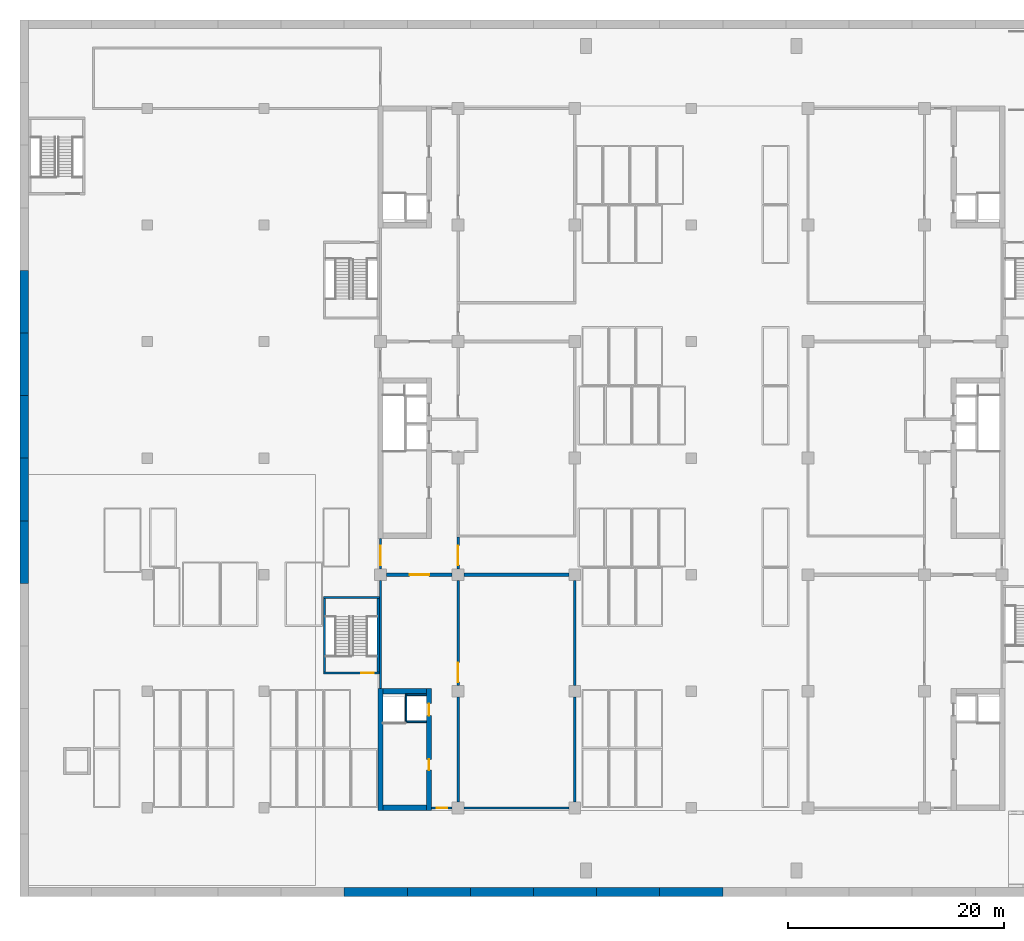
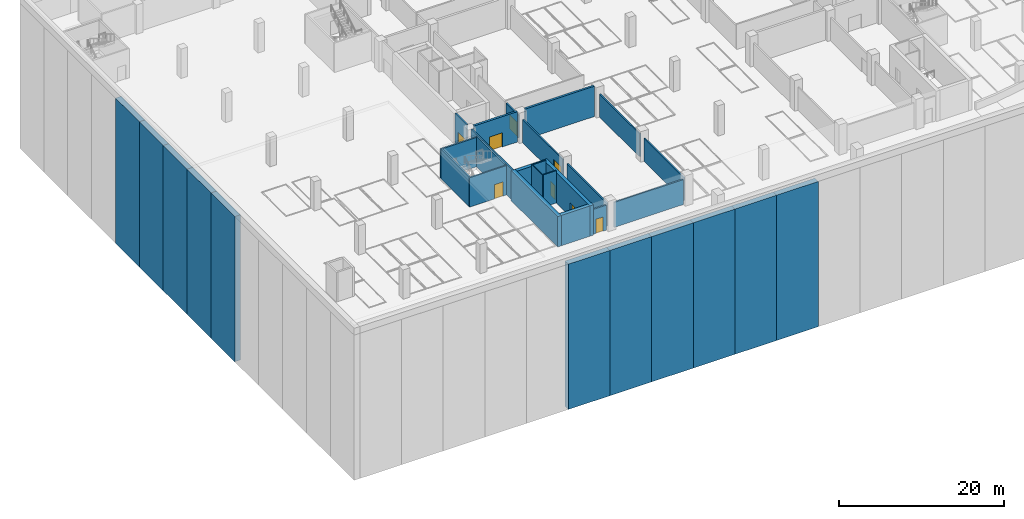
# One storey, part 2 of 18: 33 walls, 8 doors, 8 openings.
"""IFC4 building model written with IfcOpenShell, lengths in metres."""

from ifc_helpers import new_model, si_unit, direction, frame, frame_2d, origin, place, context, subcontext, project, spatial, rectangle, extrude, material, layer, layer_set, type_object, element, fill, save


model = new_model("IFC4")

# Units and contexts
model_context = context("Model", 3, precision=1e-05, world=origin(), true_north=direction((0.0, 1.0)))
body_context = subcontext(model_context, "Body", "Model", "MODEL_VIEW")
ifc_project = project(units=[si_unit("LENGTHUNIT", "METRE"), si_unit("AREAUNIT", "SQUARE_METRE"), si_unit("VOLUMEUNIT", "CUBIC_METRE"), si_unit("PLANEANGLEUNIT", "RADIAN"), si_unit("MASSUNIT", "GRAM", prefix="KILO")], contexts=[model_context])

# Site, building, storey
site_placement = place(None, origin())
site = spatial("IfcSite", under=ifc_project, at=site_placement, CompositionType="ELEMENT")
building_placement = place(site_placement, origin())
building = spatial("IfcBuilding", under=site, at=building_placement, Name="Basin Gate Institute", CompositionType="ELEMENT")
storey_placement = place(building_placement, frame((0.0, 0.0, -4.800048828125)))
storey = spatial("IfcBuildingStorey", under=building, at=storey_placement, Name="B1", CompositionType="ELEMENT", Elevation=-4.800048828125)

# Wall
ifc_material_1 = material(Name="Concrete 50 MPa", Category="concrete")
ifc_layer_1 = layer(ifc_material_1, 0.199951171875)
ifc_layer_set_1 = layer_set([ifc_layer_1], Name="Concrete 50 MPa")
wall_type_1 = type_object("IfcWallType", Name="Basement bearing wall W66 REI 180", PredefinedType="SOLIDWALL", material=ifc_layer_set_1)
wall_1_placement = place(storey_placement, frame((61.199951171875, 46.14990234375, 0.0), z_axis=(0.0, 0.0, 1.0), x_axis=(0.0, 1.0, 0.0)))
element("IfcWall", 1, at=wall_1_placement, inside=storey, type_object=wall_type_1, material=ifc_layer_set_1, Name="Service Corridor B1 West bearing wall", PredefinedType="SOLIDWALL", context=body_context, shape_type="SweptSolid", body=[
    extrude(rectangle(XDim=10.0, YDim=0.199951171875, at=frame_2d((5.0, 0.0))), origin(), (0.0, 0.0, 1.0), 4.5),
])

# Wall, opening, door
wall_2_placement = place(storey_placement, frame((61.199951171875, 57.25, 0.0), z_axis=(0.0, 0.0, 1.0), x_axis=(0.0, 1.0, 0.0)))
wall_2 = element("IfcWall", 2, at=wall_2_placement, inside=storey, type_object=wall_type_1, material=ifc_layer_set_1, Name="Service Corridor B1 West bearing wall", PredefinedType="SOLIDWALL", context=body_context, shape_type="SweptSolid", body=[
    extrude(rectangle(XDim=2.800048828125, YDim=0.199951171875, at=frame_2d((1.39990234375, 0.0))), origin(), (0.0, 0.0, 1.0), 4.5),
])
opening_1_placement = place(wall_2_placement, frame((0.35009765625, 0.0, 0.0)))
opening_1 = element("IfcOpeningElement", 3, at=opening_1_placement, cuts=wall_2, Name="Opening DB116", PredefinedType="OPENING", context=body_context, shape_type="SweptSolid", body=[
    extrude(rectangle(XDim=1.800048828125, YDim=2.10009765625, at=frame_2d((0.89990234375, 1.050048828125))), frame((0.0, 0.10986328125, 0.0), z_axis=(0.0, -1.0, 0.0), x_axis=(1.0, 0.0, 0.0)), (0.0, 0.0, 1.0), 0.219970703125),
])
ifc_material_2 = material(Name="Steel door set", Category="steel")
door_type_1 = type_object("IfcDoorType", Name="Double fire door FD120 1800x2100", OperationType="DOUBLE_DOOR_SINGLE_SWING", PredefinedType="DOOR", material=ifc_material_2)
door_1_placement = place(opening_1_placement, origin())
door_1 = element("IfcDoor", 4, at=door_1_placement, inside=storey, type_object=door_type_1, material=ifc_material_2, Name="Door DB116 Service Corridor B1 West", OperationType="DOUBLE_DOOR_SINGLE_SWING", OverallHeight=2.10009765625, OverallWidth=1.800048828125, PredefinedType="DOOR", context=body_context, shape_type="SweptSolid", body=[
    extrude(rectangle(XDim=1.800048828125, YDim=2.10009765625, at=frame_2d((0.89990234375, 1.050048828125))), frame((0.0, 0.02490234375, 0.0), z_axis=(0.0, -1.0, 0.0), x_axis=(1.0, 0.0, 0.0)), (0.0, 0.0, 1.0), 0.050048828125),
])
fill(opening_1, door_1)

ifc_material_3 = material(Name="Blockwork", Category="masonry")
ifc_layer_2 = layer(ifc_material_3, 0.199951171875)
ifc_layer_set_2 = layer_set([ifc_layer_2], Name="Basement fire partition EI 60")
wall_type_2 = type_object("IfcWallType", Name="Basement fire partition EI 60", PredefinedType="PARTITIONING", material=ifc_layer_set_2)
wall_3_placement = place(storey_placement, frame((65.949951171875, 35.10009765625, 0.0), z_axis=(0.0, 0.0, 1.0), x_axis=(1.0, 0.0, 0.0)))
wall_3 = element("IfcWall", 5, at=wall_3_placement, inside=storey, type_object=wall_type_2, material=ifc_layer_set_2, Name="Service Corridor B1 West fire-resisting wall", PredefinedType="PARTITIONING", context=body_context, shape_type="SweptSolid", body=[
    extrude(rectangle(XDim=1.900146484375, YDim=0.199951171875, at=frame_2d((0.9501953125, 0.0))), origin(), (0.0, 0.0, 1.0), 3.699951171875),
])
opening_2_placement = place(wall_3_placement, frame((0.449951171875, 0.0, 0.0)))
opening_2 = element("IfcOpeningElement", 6, at=opening_2_placement, cuts=wall_3, Name="Opening DB112", PredefinedType="OPENING", context=body_context, shape_type="SweptSolid", body=[
    extrude(rectangle(XDim=1.0, YDim=2.10009765625, at=frame_2d((0.5, 1.050048828125))), frame((0.0, 0.10986328125, 0.0), z_axis=(0.0, -1.0, 0.0), x_axis=(1.0, 0.0, 0.0)), (0.0, 0.0, 1.0), 0.219970703125),
])
ifc_material_4 = material(Name="Steel door set", Category="steel")
door_type_2 = type_object("IfcDoorType", Name="Fire door FD60 1000x2100", OperationType="NOTDEFINED", PredefinedType="DOOR", material=ifc_material_4)
door_2_placement = place(opening_2_placement, frame((1.0, 0.0, 0.0), z_axis=(0.0, 0.0, 1.0), x_axis=(-1.0, 0.0, 0.0)))
door_2 = element("IfcDoor", 7, at=door_2_placement, inside=storey, type_object=door_type_2, material=ifc_material_4, Name="Door DB112 Service Corridor B1 West", OperationType="SINGLE_SWING_RIGHT", OverallHeight=2.10009765625, OverallWidth=1.0, PredefinedType="DOOR", context=body_context, shape_type="SweptSolid", body=[
    extrude(rectangle(XDim=1.0, YDim=2.10009765625, at=frame_2d((0.5, 1.050048828125))), frame((0.0, 0.02490234375, 0.0), z_axis=(0.0, -1.0, 0.0), x_axis=(1.0, 0.0, 0.0)), (0.0, 0.0, 1.0), 0.050048828125),
])
fill(opening_2, door_2)

# Walls
wall_4_placement = place(storey_placement, frame((68.949951171875, 35.10009765625, 0.0), z_axis=(0.0, 0.0, 1.0), x_axis=(1.0, 0.0, 0.0)))
element("IfcWall", 8, at=wall_4_placement, inside=storey, type_object=wall_type_2, material=ifc_layer_set_2, Name="Clean Room Support Plant fire-resisting wall", PredefinedType="PARTITIONING", context=body_context, shape_type="SweptSolid", body=[
    extrude(rectangle(XDim=9.699951171875, YDim=0.199951171875, at=frame_2d((4.85009765625, 0.0))), origin(), (0.0, 0.0, 1.0), 3.699951171875),
])
wall_5_placement = place(storey_placement, frame((68.39990234375, 35.64990234375, 0.0), z_axis=(0.0, 0.0, 1.0), x_axis=(0.0, 1.0, 0.0)))
element("IfcWall", 9, at=wall_5_placement, inside=storey, type_object=wall_type_2, material=ifc_layer_set_2, Name="Clean Room Support Plant fire-resisting wall", PredefinedType="PARTITIONING", context=body_context, shape_type="SweptSolid", body=[
    extrude(rectangle(XDim=9.7001953125, YDim=0.199951171875, at=frame_2d((4.85009765625, 0.0))), origin(), (0.0, 0.0, 1.0), 3.400146484375),
])

# Wall, opening, door
wall_6_placement = place(storey_placement, frame((68.39990234375, 46.449951171875, 0.0), z_axis=(0.0, 0.0, 1.0), x_axis=(0.0, 1.0, 0.0)))
wall_6 = element("IfcWall", 10, at=wall_6_placement, inside=storey, type_object=wall_type_2, material=ifc_layer_set_2, Name="Clean Room Support Plant fire-resisting wall", PredefinedType="PARTITIONING", context=body_context, shape_type="SweptSolid", body=[
    extrude(rectangle(XDim=9.699951171875, YDim=0.199951171875, at=frame_2d((4.85009765625, 0.0))), origin(), (0.0, 0.0, 1.0), 3.400146484375),
])
opening_3_placement = place(wall_6_placement, frame((0.300048828125, 0.0, 0.0)))
opening_3 = element("IfcOpeningElement", 11, at=opening_3_placement, cuts=wall_6, Name="Opening DB105", PredefinedType="OPENING", context=body_context, shape_type="SweptSolid", body=[
    extrude(rectangle(XDim=1.800048828125, YDim=2.10009765625, at=frame_2d((0.89990234375, 1.050048828125))), frame((0.0, 0.10986328125, 0.0), z_axis=(0.0, -1.0, 0.0), x_axis=(1.0, 0.0, 0.0)), (0.0, 0.0, 1.0), 0.219970703125),
])
ifc_material_5 = material(Name="Steel door set", Category="steel")
door_type_3 = type_object("IfcDoorType", Name="Double fire door FD60 1800x2100", OperationType="DOUBLE_DOOR_SINGLE_SWING", PredefinedType="DOOR", material=ifc_material_5)
door_3_placement = place(opening_3_placement, frame((1.800048828125, 0.0, 0.0), z_axis=(0.0, 0.0, 1.0), x_axis=(-1.0, 0.0, 0.0)))
door_3 = element("IfcDoor", 12, at=door_3_placement, inside=storey, type_object=door_type_3, material=ifc_material_5, Name="Door DB105 Clean Room Support Plant", OperationType="DOUBLE_DOOR_SINGLE_SWING", OverallHeight=2.10009765625, OverallWidth=1.800048828125, PredefinedType="DOOR", context=body_context, shape_type="SweptSolid", body=[
    extrude(rectangle(XDim=1.800048828125, YDim=2.10009765625, at=frame_2d((0.89990234375, 1.050048828125))), frame((0.0, 0.02490234375, 0.0), z_axis=(0.0, -1.0, 0.0), x_axis=(1.0, 0.0, 0.0)), (0.0, 0.0, 1.0), 0.050048828125),
])
fill(opening_3, door_3)

wall_7_placement = place(storey_placement, frame((68.39990234375, 57.25, 0.0), z_axis=(0.0, 0.0, 1.0), x_axis=(0.0, 1.0, 0.0)))
wall_7 = element("IfcWall", 13, at=wall_7_placement, inside=storey, type_object=wall_type_2, material=ifc_layer_set_2, Name="Service Corridor B1 West fire-resisting wall", PredefinedType="PARTITIONING", context=body_context, shape_type="SweptSolid", body=[
    extrude(rectangle(XDim=2.949951171875, YDim=0.199951171875, at=frame_2d((1.47509765625, 0.0))), origin(), (0.0, 0.0, 1.0), 3.400146484375),
])
opening_4_placement = place(wall_7_placement, frame((0.35009765625, 0.0, 0.0)))
opening_4 = element("IfcOpeningElement", 14, at=opening_4_placement, cuts=wall_7, Name="Opening DB114", PredefinedType="OPENING", context=body_context, shape_type="SweptSolid", body=[
    extrude(rectangle(XDim=1.800048828125, YDim=2.10009765625, at=frame_2d((0.89990234375, 1.050048828125))), frame((0.0, 0.10986328125, 0.0), z_axis=(0.0, -1.0, 0.0), x_axis=(1.0, 0.0, 0.0)), (0.0, 0.0, 1.0), 0.219970703125),
])
door_4_placement = place(opening_4_placement, origin())
door_4 = element("IfcDoor", 15, at=door_4_placement, inside=storey, type_object=door_type_3, material=ifc_material_5, Name="Door DB114 Service Corridor B1 West", OperationType="DOUBLE_DOOR_SINGLE_SWING", OverallHeight=2.10009765625, OverallWidth=1.800048828125, PredefinedType="DOOR", context=body_context, shape_type="SweptSolid", body=[
    extrude(rectangle(XDim=1.800048828125, YDim=2.10009765625, at=frame_2d((0.89990234375, 1.050048828125))), frame((0.0, 0.02490234375, 0.0), z_axis=(0.0, -1.0, 0.0), x_axis=(1.0, 0.0, 0.0)), (0.0, 0.0, 1.0), 0.050048828125),
])
fill(opening_4, door_4)

# Walls
wall_8_placement = place(storey_placement, frame((79.199951171875, 35.64990234375, 0.0), z_axis=(0.0, 0.0, 1.0), x_axis=(0.0, 1.0, 0.0)))
element("IfcWall", 16, at=wall_8_placement, inside=storey, type_object=wall_type_2, material=ifc_layer_set_2, Name="Clean Room Support Plant fire-resisting wall", PredefinedType="PARTITIONING", context=body_context, shape_type="SweptSolid", body=[
    extrude(rectangle(XDim=9.7001953125, YDim=0.199951171875, at=frame_2d((4.85009765625, 0.0))), origin(), (0.0, 0.0, 1.0), 3.400146484375),
])
wall_9_placement = place(storey_placement, frame((79.199951171875, 46.449951171875, 0.0), z_axis=(0.0, 0.0, 1.0), x_axis=(0.0, 1.0, 0.0)))
element("IfcWall", 17, at=wall_9_placement, inside=storey, type_object=wall_type_2, material=ifc_layer_set_2, Name="Clean Room Support Plant fire-resisting wall", PredefinedType="PARTITIONING", context=body_context, shape_type="SweptSolid", body=[
    extrude(rectangle(XDim=9.699951171875, YDim=0.199951171875, at=frame_2d((4.85009765625, 0.0))), origin(), (0.0, 0.0, 1.0), 3.400146484375),
])

# Wall, opening, door
ifc_material_6 = material(Name="Concrete 35 MPa", Category="concrete")
ifc_layer_3 = layer(ifc_material_6, 0.199951171875)
ifc_layer_set_3 = layer_set([ifc_layer_3], Name="Concrete 35 MPa")
wall_type_3 = type_object("IfcWallType", Name="Basement stair enclosure wall W67 REI 120", PredefinedType="SOLIDWALL", material=ifc_layer_set_3)
wall_10_placement = place(storey_placement, frame((55.89990234375, 47.60009765625, 0.0), z_axis=(0.0, 0.0, 1.0), x_axis=(1.0, 0.0, 0.0)))
wall_10 = element("IfcWall", 18, at=wall_10_placement, inside=storey, type_object=wall_type_3, material=ifc_layer_set_3, Name="Stair Enclosure BS1 B1 enclosure wall", PredefinedType="SOLIDWALL", context=body_context, shape_type="SweptSolid", body=[
    extrude(rectangle(XDim=5.2001953125, YDim=0.199951171875, at=frame_2d((2.60009765625, 0.0))), origin(), (0.0, 0.0, 1.0), 4.35009765625),
])
opening_5_placement = place(wall_10_placement, frame((3.5, 0.0, 0.0)))
opening_5 = element("IfcOpeningElement", 19, at=opening_5_placement, cuts=wall_10, Name="Opening DB131", PredefinedType="OPENING", context=body_context, shape_type="SweptSolid", body=[
    extrude(rectangle(XDim=1.199951171875, YDim=2.10009765625, at=frame_2d((0.60009765625, 1.050048828125))), frame((0.0, 0.10986328125, 0.0), z_axis=(0.0, -1.0, 0.0), x_axis=(1.0, 0.0, 0.0)), (0.0, 0.0, 1.0), 0.219970703125),
])
ifc_material_7 = material(Name="Steel door set", Category="steel")
door_type_4 = type_object("IfcDoorType", Name="Stair door FD120 1200x2100", OperationType="NOTDEFINED", PredefinedType="DOOR", material=ifc_material_7)
door_5_placement = place(opening_5_placement, frame((1.199951171875, 0.0, 0.0), z_axis=(0.0, 0.0, 1.0), x_axis=(-1.0, 0.0, 0.0)))
door_5 = element("IfcDoor", 20, at=door_5_placement, inside=storey, type_object=door_type_4, material=ifc_material_7, Name="Door DB131 Stair Enclosure BS1 B1", OperationType="SINGLE_SWING_LEFT", OverallHeight=2.10009765625, OverallWidth=1.199951171875, PredefinedType="DOOR", context=body_context, shape_type="SweptSolid", body=[
    extrude(rectangle(XDim=1.199951171875, YDim=2.10009765625, at=frame_2d((0.60009765625, 1.050048828125))), frame((0.0, 0.02490234375, 0.0), z_axis=(0.0, -1.0, 0.0), x_axis=(1.0, 0.0, 0.0)), (0.0, 0.0, 1.0), 0.050048828125),
])
fill(opening_5, door_5)

# Walls
wall_11_placement = place(storey_placement, frame((55.89990234375, 54.60009765625, 0.0), z_axis=(0.0, 0.0, 1.0), x_axis=(1.0, 0.0, 0.0)))
element("IfcWall", 21, at=wall_11_placement, inside=storey, type_object=wall_type_3, material=ifc_layer_set_3, Name="Stair Enclosure BS1 B1 enclosure wall", PredefinedType="SOLIDWALL", context=body_context, shape_type="SweptSolid", body=[
    extrude(rectangle(XDim=5.2001953125, YDim=0.199951171875, at=frame_2d((2.60009765625, 0.0))), origin(), (0.0, 0.0, 1.0), 4.35009765625),
])
wall_12_placement = place(storey_placement, frame((56.0, 47.699951171875, 0.0), z_axis=(0.0, 0.0, 1.0), x_axis=(0.0, 1.0, 0.0)))
element("IfcWall", 22, at=wall_12_placement, inside=storey, type_object=wall_type_3, material=ifc_layer_set_3, Name="Stair Enclosure BS1 B1 enclosure wall", PredefinedType="SOLIDWALL", context=body_context, shape_type="SweptSolid", body=[
    extrude(rectangle(XDim=6.800048828125, YDim=0.199951171875, at=frame_2d((3.39990234375, 0.0))), origin(), (0.0, 0.0, 1.0), 4.35009765625),
])
wall_13_placement = place(storey_placement, frame((61.0, 47.699951171875, 0.0), z_axis=(0.0, 0.0, 1.0), x_axis=(0.0, 1.0, 0.0)))
element("IfcWall", 23, at=wall_13_placement, inside=storey, type_object=wall_type_3, material=ifc_layer_set_3, Name="Stair Enclosure BS1 B1 enclosure wall", PredefinedType="SOLIDWALL", context=body_context, shape_type="SweptSolid", body=[
    extrude(rectangle(XDim=6.800048828125, YDim=0.199951171875, at=frame_2d((3.39990234375, 0.0))), origin(), (0.0, 0.0, 1.0), 4.5),
])
ifc_material_8 = material(Name="Concrete 40 MPa", Category="concrete")
ifc_layer_4 = layer(ifc_material_8, 0.800048828125)
ifc_layer_set_4 = layer_set([ifc_layer_4], Name="Concrete 40 MPa")
wall_type_4 = type_object("IfcWallType", Name="Wall DW1 R180", PredefinedType="SOLIDWALL", material=ifc_layer_set_4)
for number, where, z_axis, x_axis, name in (
    (24, (28.199951171875, 55.89990234375, -18.199951171875), (0.0, 0.0, 1.0), (0.0, 1.0, 0.0), "WALL/B1/BASE/W/06"),
    (25, (28.199951171875, 61.699951171875, -18.199951171875), (0.0, 0.0, 1.0), (0.0, 1.0, 0.0), "WALL/B1/BASE/W/07"),
    (26, (28.199951171875, 67.5, -18.199951171875), (0.0, 0.0, 1.0), (0.0, 1.0, 0.0), "WALL/B1/BASE/W/08"),
    (27, (28.199951171875, 73.300048828125, -18.199951171875), (0.0, 0.0, 1.0), (0.0, 1.0, 0.0), "WALL/B1/BASE/W/09"),
):
    element("IfcWall", number, at=place(storey_placement, frame(where, z_axis=z_axis, x_axis=x_axis)), inside=storey, type_object=wall_type_4, material=ifc_layer_set_4, Name=name, PredefinedType="SOLIDWALL", context=body_context, shape_type="SweptSolid", body=[
        extrude(rectangle(XDim=5.800048828125, YDim=0.800048828125, at=frame_2d((2.89990234375, 0.0))), origin(), (0.0, 0.0, 1.0), 21.550048828125),
    ])
wall_14_placement = place(storey_placement, frame((28.199951171875, 79.10009765625, -18.199951171875), z_axis=(0.0, 0.0, 1.0), x_axis=(0.0, 1.0, 0.0)))
element("IfcWall", 28, at=wall_14_placement, inside=storey, type_object=wall_type_4, material=ifc_layer_set_4, Name="WALL/B1/BASE/W/10", PredefinedType="SOLIDWALL", context=body_context, shape_type="SweptSolid", body=[
    extrude(rectangle(XDim=5.7998046875, YDim=0.800048828125, at=frame_2d((2.89990234375, 0.0))), origin(), (0.0, 0.0, 1.0), 21.550048828125),
])
for number, where, z_axis, x_axis, name in (
    (29, (57.838134765625, 27.300048828125, -18.199951171875), (0.0, 0.0, 1.0), (1.0, 0.0, 0.0), "WALL/B1/BASE/S/06"),
    (30, (63.685791015625, 27.300048828125, -18.199951171875), (0.0, 0.0, 1.0), (1.0, 0.0, 0.0), "WALL/B1/BASE/S/07"),
):
    element("IfcWall", number, at=place(storey_placement, frame(where, z_axis=z_axis, x_axis=x_axis)), inside=storey, type_object=wall_type_4, material=ifc_layer_set_4, Name=name, PredefinedType="SOLIDWALL", context=body_context, shape_type="SweptSolid", body=[
        extrude(rectangle(XDim=5.84765625, YDim=0.800048828125, at=frame_2d((2.923828125, 0.0))), origin(), (0.0, 0.0, 1.0), 21.550048828125),
    ])
wall_15_placement = place(storey_placement, frame((69.533447265625, 27.300048828125, -18.199951171875), z_axis=(0.0, 0.0, 1.0), x_axis=(1.0, 0.0, 0.0)))
element("IfcWall", 31, at=wall_15_placement, inside=storey, type_object=wall_type_4, material=ifc_layer_set_4, Name="WALL/B1/BASE/S/08", PredefinedType="SOLIDWALL", context=body_context, shape_type="SweptSolid", body=[
    extrude(rectangle(XDim=5.847412109375, YDim=0.800048828125, at=frame_2d((2.923828125, 0.0))), origin(), (0.0, 0.0, 1.0), 21.550048828125),
])
for number, where, z_axis, x_axis, name in (
    (32, (75.380859375, 27.300048828125, -18.199951171875), (0.0, 0.0, 1.0), (1.0, 0.0, 0.0), "WALL/B1/BASE/S/09"),
    (33, (81.228515625, 27.300048828125, -18.199951171875), (0.0, 0.0, 1.0), (1.0, 0.0, 0.0), "WALL/B1/BASE/S/10"),
    (34, (87.076171875, 27.300048828125, -18.199951171875), (0.0, 0.0, 1.0), (1.0, 0.0, 0.0), "WALL/B1/BASE/S/11"),
):
    element("IfcWall", number, at=place(storey_placement, frame(where, z_axis=z_axis, x_axis=x_axis)), inside=storey, type_object=wall_type_4, material=ifc_layer_set_4, Name=name, PredefinedType="SOLIDWALL", context=body_context, shape_type="SweptSolid", body=[
        extrude(rectangle(XDim=5.84765625, YDim=0.800048828125, at=frame_2d((2.923828125, 0.0))), origin(), (0.0, 0.0, 1.0), 21.550048828125),
    ])
ifc_material_9 = material(Name="Concrete 40 MPa", Category="concrete")
ifc_layer_5 = layer(ifc_material_9, 0.14990234375)
ifc_layer_set_5 = layer_set([ifc_layer_5], Name="Concrete 40 MPa")
wall_type_5 = type_object("IfcWallType", Name="Wall LS1 lift shaft enclosure R180", PredefinedType="SOLIDWALL", material=ifc_layer_set_5)
wall_16_placement = place(storey_placement, frame((63.574951171875, 43.0, 0.0), z_axis=(0.0, 0.0, 1.0), x_axis=(0.0, 1.0, 0.0)))
element("IfcWall", 35, at=wall_16_placement, inside=storey, type_object=wall_type_5, material=ifc_layer_set_5, Name="Lift shaft enclosure LP1 B1 UL", PredefinedType="SOLIDWALL", context=body_context, shape_type="SweptSolid", body=[
    extrude(rectangle(XDim=2.64990234375, YDim=0.14990234375, at=frame_2d((1.324951171875, 0.0))), origin(), (0.0, 0.0, 1.0), 4.800048828125),
])
for number, where, z_axis, x_axis, name in (
    (36, (63.64990234375, 43.074951171875, 0.0), (0.0, 0.0, 1.0), (1.0, 0.0, 0.0), "Lift shaft enclosure LP1 B1 RL"),
    (37, (63.64990234375, 45.574951171875, 0.0), (0.0, 0.0, 1.0), (1.0, 0.0, 0.0), "Lift shaft enclosure LP1 B1 RH"),
):
    element("IfcWall", number, at=place(storey_placement, frame(where, z_axis=z_axis, x_axis=x_axis)), inside=storey, type_object=wall_type_5, material=ifc_layer_set_5, Name=name, PredefinedType="SOLIDWALL", context=body_context, shape_type="SweptSolid", body=[
        extrude(rectangle(XDim=1.800048828125, YDim=0.14990234375, at=frame_2d((0.89990234375, 0.0))), origin(), (0.0, 0.0, 1.0), 4.800048828125),
    ])
ifc_material_10 = material(Name="Concrete 60 MPa", Category="concrete")
ifc_layer_6 = layer(ifc_material_10, 0.5)
ifc_layer_set_6 = layer_set([ifc_layer_6], Name="Concrete 60 MPa")
wall_type_6 = type_object("IfcWallType", Name="Wall SW1 R180", PredefinedType="SHEAR", material=ifc_layer_set_6)
wall_17_placement = place(storey_placement, frame((61.199951171875, 34.85009765625, 0.0), z_axis=(0.0, 0.0, 1.0), x_axis=(0.0, 1.0, 0.0)))
element("IfcWall", 38, at=wall_17_placement, inside=storey, type_object=wall_type_6, material=ifc_layer_set_6, Name="WALL/B1/WS/L", PredefinedType="SHEAR", context=body_context, shape_type="SweptSolid", body=[
    extrude(rectangle(XDim=11.2998046875, YDim=0.5, at=frame_2d((5.64990234375, 0.0))), origin(), (0.0, 0.0, 1.0), 4.5),
])

# Wall, openings, doors
wall_18_placement = place(storey_placement, frame((65.699951171875, 34.85009765625, 0.0), z_axis=(0.0, 0.0, 1.0), x_axis=(0.0, 1.0, 0.0)))
wall_18 = element("IfcWall", 39, at=wall_18_placement, inside=storey, type_object=wall_type_6, material=ifc_layer_set_6, Name="WALL/B1/WS/C", PredefinedType="SHEAR", context=body_context, shape_type="SweptSolid", body=[
    extrude(rectangle(XDim=11.2998046875, YDim=0.5, at=frame_2d((5.64990234375, 0.0))), origin(), (0.0, 0.0, 1.0), 4.5),
])
opening_6_placement = place(wall_18_placement, frame((8.800048828125, 0.0, 0.0)))
opening_6 = element("IfcOpeningElement", 40, at=opening_6_placement, cuts=wall_18, Name="Opening LD002", PredefinedType="OPENING", context=body_context, shape_type="SweptSolid", body=[
    extrude(rectangle(XDim=1.10009765625, YDim=2.10009765625, at=frame_2d((0.550048828125, 1.050048828125))), frame((0.0, 0.260009765625, 0.0), z_axis=(0.0, -1.0, 0.0), x_axis=(1.0, 0.0, 0.0)), (0.0, 0.0, 1.0), 0.52001953125),
])
opening_7_placement = place(wall_18_placement, frame((3.75, 0.0, 0.0)))
opening_7 = element("IfcOpeningElement", 41, at=opening_7_placement, cuts=wall_18, Name="Opening DB123", PredefinedType="OPENING", context=body_context, shape_type="SweptSolid", body=[
    extrude(rectangle(XDim=1.0, YDim=2.10009765625, at=frame_2d((0.5, 1.050048828125))), frame((0.0, 0.260009765625, 0.0), z_axis=(0.0, -1.0, 0.0), x_axis=(1.0, 0.0, 0.0)), (0.0, 0.0, 1.0), 0.52001953125),
])
ifc_material_11 = material(Name="Stainless steel", Category="steel")
door_type_5 = type_object("IfcDoorType", Name="FD60 Lift landing door LD", OperationType="SLIDING_TO_LEFT", PredefinedType="DOOR", material=ifc_material_11)
door_6_placement = place(opening_6_placement, origin())
door_6 = element("IfcDoor", 42, at=door_6_placement, inside=storey, type_object=door_type_5, material=ifc_material_11, Name="Lift landing door LP1 B1", OperationType="SLIDING_TO_LEFT", OverallHeight=2.10009765625, OverallWidth=1.10009765625, PredefinedType="DOOR", context=body_context, shape_type="SweptSolid", body=[
    extrude(rectangle(XDim=1.10009765625, YDim=2.10009765625, at=frame_2d((0.550048828125, 1.050048828125))), frame((0.0, 0.02490234375, 0.0), z_axis=(0.0, -1.0, 0.0), x_axis=(1.0, 0.0, 0.0)), (0.0, 0.0, 1.0), 0.050048828125),
])
fill(opening_6, door_6)
door_7_placement = place(opening_7_placement, origin())
door_7 = element("IfcDoor", 43, at=door_7_placement, inside=storey, type_object=door_type_2, material=ifc_material_4, Name="Door DB123 Mechanical Riser Room B1 WS", OperationType="SINGLE_SWING_LEFT", OverallHeight=2.10009765625, OverallWidth=1.0, PredefinedType="DOOR", context=body_context, shape_type="SweptSolid", body=[
    extrude(rectangle(XDim=1.0, YDim=2.10009765625, at=frame_2d((0.5, 1.050048828125))), frame((0.0, 0.02490234375, 0.0), z_axis=(0.0, -1.0, 0.0), x_axis=(1.0, 0.0, 0.0)), (0.0, 0.0, 1.0), 0.050048828125),
])
fill(opening_7, door_7)

# Walls
for number, where, z_axis, x_axis, name in (
    (44, (61.449951171875, 35.10009765625, 0.0), (0.0, 0.0, 1.0), (1.0, 0.0, 0.0), "WALL/B1/WS/S"),
    (45, (61.449951171875, 45.89990234375, 0.0), (0.0, 0.0, 1.0), (1.0, 0.0, 0.0), "WALL/B1/WS/N"),
):
    element("IfcWall", number, at=place(storey_placement, frame(where, z_axis=z_axis, x_axis=x_axis)), inside=storey, type_object=wall_type_6, material=ifc_layer_set_6, Name=name, PredefinedType="SHEAR", context=body_context, shape_type="SweptSolid", body=[
        extrude(rectangle(XDim=4.0, YDim=0.5, at=frame_2d((2.0, 0.0))), origin(), (0.0, 0.0, 1.0), 4.5),
    ])

# Wall, opening, door
ifc_material_12 = material(Name="Concrete 50 MPa", Category="concrete")
ifc_layer_7 = layer(ifc_material_12, 0.300048828125)
ifc_layer_set_7 = layer_set([ifc_layer_7], Name="Concrete 50 MPa")
wall_type_7 = type_object("IfcWallType", Name="Wall XW1 R180", PredefinedType="SHEAR", material=ifc_layer_set_7)
wall_19_placement = place(storey_placement, frame((61.75, 56.699951171875, 0.0), z_axis=(0.0, 0.0, 1.0), x_axis=(1.0, 0.0, 0.0)))
wall_19 = element("IfcWall", 46, at=wall_19_placement, inside=storey, type_object=wall_type_7, material=ifc_layer_set_7, Name="WALL/B1/WXC/1", PredefinedType="SHEAR", context=body_context, shape_type="SweptSolid", body=[
    extrude(rectangle(XDim=6.10009765625, YDim=0.300048828125, at=frame_2d((3.050048828125, 0.0))), origin(), (0.0, 0.0, 1.0), 4.5),
])
opening_8_placement = place(wall_19_placement, frame((2.14990234375, 0.0, 0.0)))
opening_8 = element("IfcOpeningElement", 47, at=opening_8_placement, cuts=wall_19, Name="Opening DB137", PredefinedType="OPENING", context=body_context, shape_type="SweptSolid", body=[
    extrude(rectangle(XDim=1.800048828125, YDim=2.10009765625, at=frame_2d((0.89990234375, 1.050048828125))), frame((0.0, 0.16015625, 0.0), z_axis=(0.0, -1.0, 0.0), x_axis=(1.0, 0.0, 0.0)), (0.0, 0.0, 1.0), 0.320068359375),
])
door_8_placement = place(opening_8_placement, origin())
door_8 = element("IfcDoor", 48, at=door_8_placement, inside=storey, type_object=door_type_3, material=ifc_material_5, Name="Door DB137 Service Corridor B1 West compartment wall", OperationType="DOUBLE_DOOR_SINGLE_SWING", OverallHeight=2.10009765625, OverallWidth=1.800048828125, PredefinedType="DOOR", context=body_context, shape_type="SweptSolid", body=[
    extrude(rectangle(XDim=1.800048828125, YDim=2.10009765625, at=frame_2d((0.89990234375, 1.050048828125))), frame((0.0, 0.02490234375, 0.0), z_axis=(0.0, -1.0, 0.0), x_axis=(1.0, 0.0, 0.0)), (0.0, 0.0, 1.0), 0.050048828125),
])
fill(opening_8, door_8)

# Wall
wall_20_placement = place(storey_placement, frame((68.949951171875, 56.699951171875, 0.0), z_axis=(0.0, 0.0, 1.0), x_axis=(1.0, 0.0, 0.0)))
element("IfcWall", 49, at=wall_20_placement, inside=storey, type_object=wall_type_7, material=ifc_layer_set_7, Name="WALL/B1/WXC/2", PredefinedType="SHEAR", context=body_context, shape_type="SweptSolid", body=[
    extrude(rectangle(XDim=9.699951171875, YDim=0.300048828125, at=frame_2d((4.85009765625, 0.0))), origin(), (0.0, 0.0, 1.0), 4.5),
])

save(model, "model.ifc")
